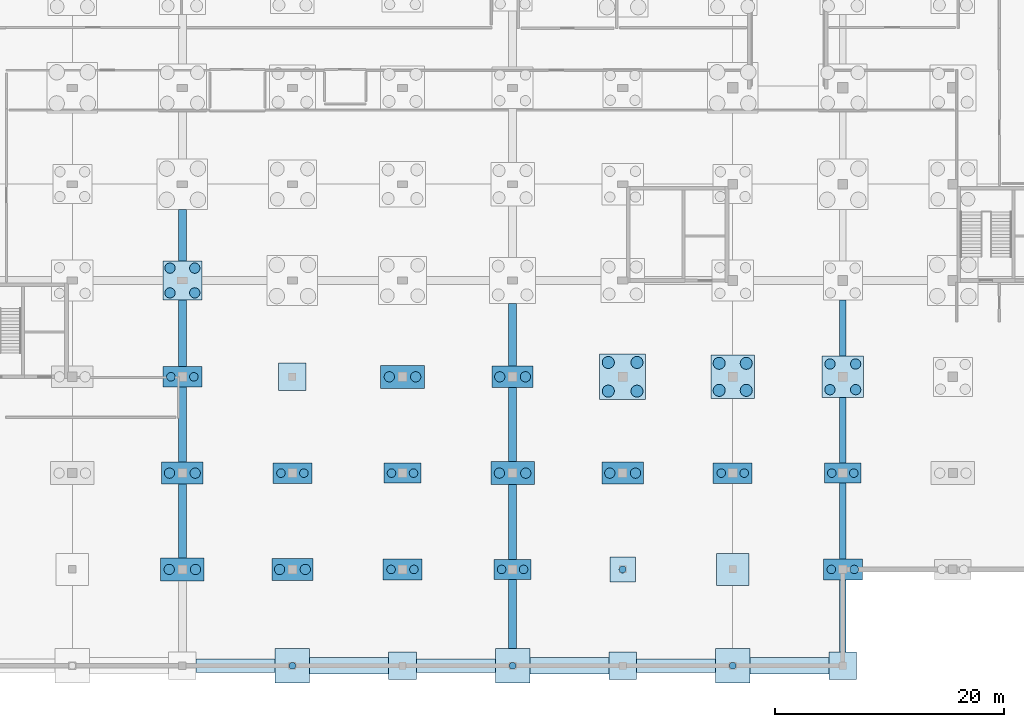
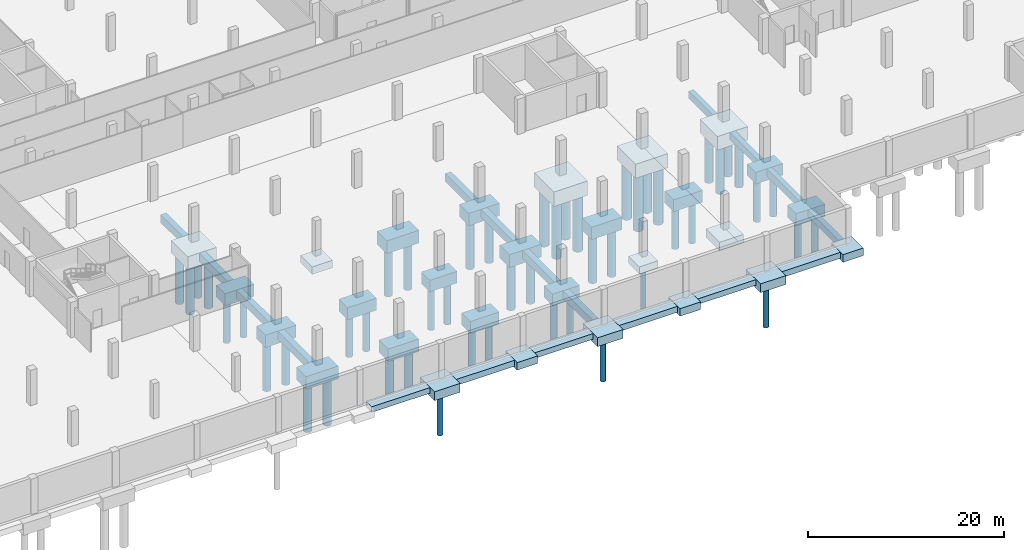
# One storey, part 3 of 26: 50 piles, 46 footings.
"""IFC4 building model written with IfcOpenShell, lengths in metres."""

from ifc_helpers import new_model, si_unit, direction, frame, origin, origin_2d, place, context, subcontext, project, spatial, rectangle, circle, extrude, material, layer, layer_set, material_profile, profile_set, type_object, element, save


model = new_model("IFC4")

# Units and contexts
model_context = context("Model", 3, precision=1e-05, world=origin(), true_north=direction((0.0, 1.0)))
body_context = subcontext(model_context, "Body", "Model", "MODEL_VIEW")
ifc_project = project(units=[si_unit("LENGTHUNIT", "METRE"), si_unit("AREAUNIT", "SQUARE_METRE"), si_unit("VOLUMEUNIT", "CUBIC_METRE"), si_unit("PLANEANGLEUNIT", "RADIAN"), si_unit("MASSUNIT", "GRAM", prefix="KILO")], contexts=[model_context])

# Site, building, storey
site_placement = place(None, origin())
site = spatial("IfcSite", under=ifc_project, at=site_placement, CompositionType="ELEMENT")
building_placement = place(site_placement, origin())
building = spatial("IfcBuilding", under=site, at=building_placement, Name="Lornevale Opera House", CompositionType="ELEMENT")
storey_placement = place(building_placement, frame((0.0, 0.0, -9.60009765625)))
storey = spatial("IfcBuildingStorey", under=building, at=storey_placement, Name="B2", CompositionType="ELEMENT", Elevation=-9.60009765625)

# Footings
ifc_material_1 = material(Name="Concrete 35 MPa (CSA A23.1 N)", Category="concrete")
ifc_layer_1 = layer(ifc_material_1, 1.60009765625)
ifc_layer_set_1 = layer_set([ifc_layer_1], Name="Concrete 35 MPa (CSA A23.1 N)")
footing_type_1 = type_object("IfcFootingType", Name="Four-Caisson Cap 3400x3400x1600", PredefinedType="PILE_CAP", material=ifc_layer_set_1)
footing_1_placement = place(storey_placement, frame((67.199951171875, 33.60009765625, -2.06005859375), z_axis=(0.0, 0.0, 1.0), x_axis=(1.0, 0.0, 0.0)))
element("IfcFooting", 1, at=footing_1_placement, inside=storey, type_object=footing_type_1, Name="Four-Caisson Cap 3400x3400x1600 FT-102", PredefinedType="PILE_CAP", context=body_context, shape_type="SweptSolid", body=[
    extrude(rectangle(XDim=3.39990234375, YDim=3.39990234375, at=origin_2d()), origin(), (0.0, 0.0, 1.0), 1.60009765625),
])
ifc_layer_2 = layer(ifc_material_1, 1.699951171875)
ifc_layer_set_2 = layer_set([ifc_layer_2], Name="Concrete 35 MPa (CSA A23.1 N)")
footing_type_2 = type_object("IfcFootingType", Name="Four-Caisson Cap 3600x3600x1700", PredefinedType="PILE_CAP", material=ifc_layer_set_2)
footing_2_placement = place(storey_placement, frame((124.800048828125, 25.199951171875, -2.15966796875), z_axis=(0.0, 0.0, 1.0), x_axis=(1.0, 0.0, 0.0)))
element("IfcFooting", 2, at=footing_2_placement, inside=storey, type_object=footing_type_2, Name="Four-Caisson Cap 3600x3600x1700 FT-191", PredefinedType="PILE_CAP", context=body_context, shape_type="SweptSolid", body=[
    extrude(rectangle(XDim=3.60009765625, YDim=3.60009765625, at=origin_2d()), origin(), (0.0, 0.0, 1.0), 1.699951171875),
])
ifc_layer_3 = layer(ifc_material_1, 1.75)
ifc_layer_set_3 = layer_set([ifc_layer_3], Name="Concrete 35 MPa (CSA A23.1 N)")
footing_type_3 = type_object("IfcFootingType", Name="Four-Caisson Cap 3800x3800x1750", PredefinedType="PILE_CAP", material=ifc_layer_set_3)
footing_3_placement = place(storey_placement, frame((115.199951171875, 25.199951171875, -2.2099609375), z_axis=(0.0, 0.0, 1.0), x_axis=(1.0, 0.0, 0.0)))
element("IfcFooting", 3, at=footing_3_placement, inside=storey, type_object=footing_type_3, Name="Four-Caisson Cap 3800x3800x1750 FT-176", PredefinedType="PILE_CAP", context=body_context, shape_type="SweptSolid", body=[
    extrude(rectangle(XDim=3.800048828125, YDim=3.800048828125, at=origin_2d()), origin(), (0.0, 0.0, 1.0), 1.75),
])
ifc_layer_4 = layer(ifc_material_1, 1.800048828125)
ifc_layer_set_4 = layer_set([ifc_layer_4], Name="Concrete 35 MPa (CSA A23.1 N)")
footing_type_4 = type_object("IfcFootingType", Name="Four-Caisson Cap 4000x4000x1800", PredefinedType="PILE_CAP", material=ifc_layer_set_4)
footing_4_placement = place(storey_placement, frame((105.60009765625, 25.199951171875, -2.259765625), z_axis=(0.0, 0.0, 1.0), x_axis=(1.0, 0.0, 0.0)))
element("IfcFooting", 4, at=footing_4_placement, inside=storey, type_object=footing_type_4, Name="Four-Caisson Cap 4000x4000x1800 FT-161", PredefinedType="PILE_CAP", context=body_context, shape_type="SweptSolid", body=[
    extrude(rectangle(XDim=4.0, YDim=4.0, at=origin_2d()), origin(), (0.0, 0.0, 1.0), 1.800048828125),
])
ifc_layer_5 = layer(ifc_material_1, 0.89990234375)
ifc_layer_set_5 = layer_set([ifc_layer_5], Name="Concrete 35 MPa (CSA A23.1 N)")
footing_type_5 = type_object("IfcFootingType", Name="Grade Tie Beam NS 600x900", PredefinedType="FOOTING_BEAM", material=ifc_layer_set_5)
footing_5_placement = place(storey_placement, frame((124.800048828125, 4.35009765625, -1.35986328125), z_axis=(0.0, 0.0, 1.0), x_axis=(1.0, 0.0, 0.0)))
element("IfcFooting", 5, at=footing_5_placement, inside=storey, type_object=footing_type_5, Name="Grade Tie Beam NS 600x900 FT-378", PredefinedType="FOOTING_BEAM", context=body_context, shape_type="SweptSolid", body=[
    extrude(rectangle(XDim=0.60009765625, YDim=6.300048828125, at=origin_2d()), origin(), (0.0, 0.0, 1.0), 0.89990234375),
])
footing_6_placement = place(storey_placement, frame((124.800048828125, 12.612548828125, -1.35986328125), z_axis=(0.0, 0.0, 1.0), x_axis=(1.0, 0.0, 0.0)))
element("IfcFooting", 6, at=footing_6_placement, inside=storey, type_object=footing_type_5, Name="Grade Tie Beam NS 600x900 FT-379", PredefinedType="FOOTING_BEAM", context=body_context, shape_type="SweptSolid", body=[
    extrude(rectangle(XDim=0.60009765625, YDim=6.625, at=origin_2d()), origin(), (0.0, 0.0, 1.0), 0.89990234375),
])
footing_7_placement = place(storey_placement, frame((124.800048828125, 20.53759765625, -1.35986328125), z_axis=(0.0, 0.0, 1.0), x_axis=(1.0, 0.0, 0.0)))
element("IfcFooting", 7, at=footing_7_placement, inside=storey, type_object=footing_type_5, Name="Grade Tie Beam NS 600x900 FT-380", PredefinedType="FOOTING_BEAM", context=body_context, shape_type="SweptSolid", body=[
    extrude(rectangle(XDim=0.60009765625, YDim=5.72509765625, at=origin_2d()), origin(), (0.0, 0.0, 1.0), 0.89990234375),
])
footing_8_placement = place(storey_placement, frame((124.800048828125, 29.449951171875, -1.35986328125), z_axis=(0.0, 0.0, 1.0), x_axis=(1.0, 0.0, 0.0)))
element("IfcFooting", 8, at=footing_8_placement, inside=storey, type_object=footing_type_5, Name="Grade Tie Beam NS 600x900 FT-381", PredefinedType="FOOTING_BEAM", context=body_context, shape_type="SweptSolid", body=[
    extrude(rectangle(XDim=0.60009765625, YDim=4.89990234375, at=origin_2d()), origin(), (0.0, 0.0, 1.0), 0.89990234375),
])
ifc_layer_6 = layer(ifc_material_1, 1.0)
ifc_layer_set_6 = layer_set([ifc_layer_6], Name="Concrete 35 MPa (CSA A23.1 N)")
footing_type_6 = type_object("IfcFootingType", Name="Grade Tie Beam NS 700x1000", PredefinedType="FOOTING_BEAM", material=ifc_layer_set_6)
footing_9_placement = place(storey_placement, frame((67.199951171875, 12.625, -1.4599609375), z_axis=(0.0, 0.0, 1.0), x_axis=(1.0, 0.0, 0.0)))
element("IfcFooting", 9, at=footing_9_placement, inside=storey, type_object=footing_type_6, Name="Grade Tie Beam NS 700x1000 FT-351", PredefinedType="FOOTING_BEAM", context=body_context, shape_type="SweptSolid", body=[
    extrude(rectangle(XDim=0.699951171875, YDim=6.449951171875, at=origin_2d()), origin(), (0.0, 0.0, 1.0), 1.0),
])
footing_10_placement = place(storey_placement, frame((67.199951171875, 21.02490234375, -1.4599609375), z_axis=(0.0, 0.0, 1.0), x_axis=(1.0, 0.0, 0.0)))
element("IfcFooting", 10, at=footing_10_placement, inside=storey, type_object=footing_type_6, Name="Grade Tie Beam NS 700x1000 FT-352", PredefinedType="FOOTING_BEAM", context=body_context, shape_type="SweptSolid", body=[
    extrude(rectangle(XDim=0.699951171875, YDim=6.550048828125, at=origin_2d()), origin(), (0.0, 0.0, 1.0), 1.0),
])
footing_11_placement = place(storey_placement, frame((67.199951171875, 29.0, -1.4599609375), z_axis=(0.0, 0.0, 1.0), x_axis=(1.0, 0.0, 0.0)))
element("IfcFooting", 11, at=footing_11_placement, inside=storey, type_object=footing_type_6, Name="Grade Tie Beam NS 700x1000 FT-353", PredefinedType="FOOTING_BEAM", context=body_context, shape_type="SweptSolid", body=[
    extrude(rectangle(XDim=0.699951171875, YDim=5.800048828125, at=origin_2d()), origin(), (0.0, 0.0, 1.0), 1.0),
])
footing_12_placement = place(storey_placement, frame((67.199951171875, 37.550048828125, -1.4599609375), z_axis=(0.0, 0.0, 1.0), x_axis=(1.0, 0.0, 0.0)))
element("IfcFooting", 12, at=footing_12_placement, inside=storey, type_object=footing_type_6, Name="Grade Tie Beam NS 700x1000 FT-354", PredefinedType="FOOTING_BEAM", context=body_context, shape_type="SweptSolid", body=[
    extrude(rectangle(XDim=0.699951171875, YDim=4.5, at=origin_2d()), origin(), (0.0, 0.0, 1.0), 1.0),
])
footing_13_placement = place(storey_placement, frame((96.0, 4.512451171875, -1.4599609375), z_axis=(0.0, 0.0, 1.0), x_axis=(1.0, 0.0, 0.0)))
element("IfcFooting", 13, at=footing_13_placement, inside=storey, type_object=footing_type_6, Name="Grade Tie Beam NS 700x1000 FT-364", PredefinedType="FOOTING_BEAM", context=body_context, shape_type="SweptSolid", body=[
    extrude(rectangle(XDim=0.699951171875, YDim=6.02490234375, at=origin_2d()), origin(), (0.0, 0.0, 1.0), 1.0),
])
footing_14_placement = place(storey_placement, frame((96.0, 12.53759765625, -1.4599609375), z_axis=(0.0, 0.0, 1.0), x_axis=(1.0, 0.0, 0.0)))
element("IfcFooting", 14, at=footing_14_placement, inside=storey, type_object=footing_type_6, Name="Grade Tie Beam NS 700x1000 FT-365", PredefinedType="FOOTING_BEAM", context=body_context, shape_type="SweptSolid", body=[
    extrude(rectangle(XDim=0.699951171875, YDim=6.52490234375, at=origin_2d()), origin(), (0.0, 0.0, 1.0), 1.0),
])
footing_15_placement = place(storey_placement, frame((96.0, 21.02490234375, -1.4599609375), z_axis=(0.0, 0.0, 1.0), x_axis=(1.0, 0.0, 0.0)))
element("IfcFooting", 15, at=footing_15_placement, inside=storey, type_object=footing_type_6, Name="Grade Tie Beam NS 700x1000 FT-366", PredefinedType="FOOTING_BEAM", context=body_context, shape_type="SweptSolid", body=[
    extrude(rectangle(XDim=0.699951171875, YDim=6.449951171875, at=origin_2d()), origin(), (0.0, 0.0, 1.0), 1.0),
])
footing_16_placement = place(storey_placement, frame((96.0, 28.875, -1.4599609375), z_axis=(0.0, 0.0, 1.0), x_axis=(1.0, 0.0, 0.0)))
element("IfcFooting", 16, at=footing_16_placement, inside=storey, type_object=footing_type_6, Name="Grade Tie Beam NS 700x1000 FT-367", PredefinedType="FOOTING_BEAM", context=body_context, shape_type="SweptSolid", body=[
    extrude(rectangle(XDim=0.699951171875, YDim=5.449951171875, at=origin_2d()), origin(), (0.0, 0.0, 1.0), 1.0),
])

# Piles
ifc_material_2 = material(Name="Concrete 40 MPa (CSA A23.1 C-1)", Category="concrete")
ifc_material_profile_1 = material_profile(ifc_material_2, circle(Radius=0.300048828125, at=origin_2d()), Name="CAIS600")
ifc_profile_set_1 = profile_set([ifc_material_profile_1], Name="Concrete 40 MPa (CSA A23.1 C-1)")
pile_type_1 = type_object("IfcPileType", Name="Micropile Caisson D600", PredefinedType="BORED", material=ifc_profile_set_1)
for number, where, z_axis, x_axis, name in (
    (17, (76.800048828125, 0.0, -1.43994140625), (0.0, 0.0, -1.0), (1.0, 0.0, 0.0), "Micropile Caisson D600 0212"),
    (18, (96.0, 0.0, -1.43994140625), (0.0, 0.0, -1.0), (1.0, 0.0, 0.0), "Micropile Caisson D600 0288"),
):
    element("IfcPile", number, at=place(storey_placement, frame(where, z_axis=z_axis, x_axis=x_axis)), inside=storey, type_object=pile_type_1, Name=name, PredefinedType="BORED", context=body_context, shape_type="SweptSolid", body=[
        extrude(circle(Radius=0.300048828125, at=origin_2d()), origin(), (0.0, 0.0, 1.0), 5.760009765625),
    ])
pile_1_placement = place(storey_placement, frame((105.60009765625, 8.39990234375, -1.239990234375), z_axis=(0.0, 0.0, -1.0), x_axis=(1.0, 0.0, 0.0)))
element("IfcPile", 19, at=pile_1_placement, inside=storey, type_object=pile_type_1, Name="Micropile Caisson D600 0328", PredefinedType="BORED", context=body_context, shape_type="SweptSolid", body=[
    extrude(circle(Radius=0.300048828125, at=origin_2d()), origin(), (0.0, 0.0, 1.0), 5.9599609375),
])
pile_2_placement = place(storey_placement, frame((115.199951171875, 0.0, -1.43994140625), z_axis=(0.0, 0.0, -1.0), x_axis=(1.0, 0.0, 0.0)))
element("IfcPile", 20, at=pile_2_placement, inside=storey, type_object=pile_type_1, Name="Micropile Caisson D600 0368", PredefinedType="BORED", context=body_context, shape_type="SweptSolid", body=[
    extrude(circle(Radius=0.300048828125, at=origin_2d()), origin(), (0.0, 0.0, 1.0), 5.760009765625),
])

# Footings
ifc_layer_7 = layer(ifc_material_1, 0.699951171875)
ifc_layer_set_7 = layer_set([ifc_layer_7], Name="Concrete 35 MPa (CSA A23.1 N)")
footing_type_7 = type_object("IfcFootingType", Name="Perimeter Strip Footing 1200x700", PredefinedType="STRIP_FOOTING", material=ifc_layer_set_7)
for number, where, z_axis, x_axis, name in (
    (21, (71.85009765625, 0.0, -1.15966796875), (0.0, 0.0, 1.0), (1.0, 0.0, 0.0), "Perimeter Strip Footing 1200x700 FT-280"),
    (22, (91.050048828125, 0.0, -1.15966796875), (0.0, 0.0, 1.0), (1.0, 0.0, 0.0), "Perimeter Strip Footing 1200x700 FT-290"),
    (23, (110.25, 0.0, -1.15966796875), (0.0, 0.0, 1.0), (1.0, 0.0, 0.0), "Perimeter Strip Footing 1200x700 FT-300"),
):
    element("IfcFooting", number, at=place(storey_placement, frame(where, z_axis=z_axis, x_axis=x_axis)), inside=storey, type_object=footing_type_7, Name=name, PredefinedType="STRIP_FOOTING", context=body_context, shape_type="SweptSolid", body=[
        extrude(rectangle(XDim=6.89990234375, YDim=1.199951171875, at=origin_2d()), origin(), (0.0, 0.0, 1.0), 0.699951171875),
    ])
ifc_layer_8 = layer(ifc_material_1, 0.75)
ifc_layer_set_8 = layer_set([ifc_layer_8], Name="Concrete 35 MPa (CSA A23.1 N)")
footing_type_8 = type_object("IfcFootingType", Name="Perimeter Strip Footing 1400x750", PredefinedType="STRIP_FOOTING", material=ifc_layer_set_8)
for number, where, z_axis, x_axis, name in (
    (24, (81.75, 0.0, -1.2099609375), (0.0, 0.0, 1.0), (1.0, 0.0, 0.0), "Perimeter Strip Footing 1400x750 FT-285"),
    (25, (100.949951171875, 0.0, -1.2099609375), (0.0, 0.0, 1.0), (1.0, 0.0, 0.0), "Perimeter Strip Footing 1400x750 FT-295"),
    (26, (120.14990234375, 0.0, -1.2099609375), (0.0, 0.0, 1.0), (1.0, 0.0, 0.0), "Perimeter Strip Footing 1400x750 FT-305"),
):
    element("IfcFooting", number, at=place(storey_placement, frame(where, z_axis=z_axis, x_axis=x_axis)), inside=storey, type_object=footing_type_8, Name=name, PredefinedType="STRIP_FOOTING", context=body_context, shape_type="SweptSolid", body=[
        extrude(rectangle(XDim=6.89990234375, YDim=1.39990234375, at=origin_2d()), origin(), (0.0, 0.0, 1.0), 0.75),
    ])

# Piles
ifc_material_profile_2 = material_profile(ifc_material_2, circle(Radius=0.52490234375, at=origin_2d()), Name="CAIS1050")
ifc_profile_set_2 = profile_set([ifc_material_profile_2], Name="Concrete 40 MPa (CSA A23.1 C-1)")
pile_type_2 = type_object("IfcPileType", Name="Rock-Socketed Caisson D1050", PredefinedType="BORED", material=ifc_profile_set_2)
for number, where, z_axis, x_axis, name in (
    (27, (104.35009765625, 23.949951171875, -2.139892578125), (0.0, 0.0, -1.0), (1.0, 0.0, 0.0), "Rock-Socketed Caisson D1050 0331"),
    (28, (106.85009765625, 23.949951171875, -2.139892578125), (0.0, 0.0, -1.0), (1.0, 0.0, 0.0), "Rock-Socketed Caisson D1050 0332"),
    (29, (104.35009765625, 26.449951171875, -2.139892578125), (0.0, 0.0, -1.0), (1.0, 0.0, 0.0), "Rock-Socketed Caisson D1050 0333"),
    (30, (106.85009765625, 26.449951171875, -2.139892578125), (0.0, 0.0, -1.0), (1.0, 0.0, 0.0), "Rock-Socketed Caisson D1050 0334"),
):
    element("IfcPile", number, at=place(storey_placement, frame(where, z_axis=z_axis, x_axis=x_axis)), inside=storey, type_object=pile_type_2, Name=name, PredefinedType="BORED", context=body_context, shape_type="SweptSolid", body=[
        extrude(circle(Radius=0.52490234375, at=origin_2d()), origin(), (0.0, 0.0, 1.0), 7.06005859375),
    ])
for number, where, z_axis, x_axis, name in (
    (31, (114.02001953125, 24.02001953125, -2.08984375), (0.0, 0.0, -1.0), (1.0, 0.0, 0.0), "Rock-Socketed Caisson D1050 0371"),
    (32, (116.3798828125, 24.02001953125, -2.08984375), (0.0, 0.0, -1.0), (1.0, 0.0, 0.0), "Rock-Socketed Caisson D1050 0372"),
    (33, (114.02001953125, 26.3798828125, -2.08984375), (0.0, 0.0, -1.0), (1.0, 0.0, 0.0), "Rock-Socketed Caisson D1050 0373"),
    (34, (116.3798828125, 26.3798828125, -2.08984375), (0.0, 0.0, -1.0), (1.0, 0.0, 0.0), "Rock-Socketed Caisson D1050 0374"),
):
    element("IfcPile", number, at=place(storey_placement, frame(where, z_axis=z_axis, x_axis=x_axis)), inside=storey, type_object=pile_type_2, Name=name, PredefinedType="BORED", context=body_context, shape_type="SweptSolid", body=[
        extrude(circle(Radius=0.52490234375, at=origin_2d()), origin(), (0.0, 0.0, 1.0), 7.110107421875),
    ])
ifc_material_profile_3 = material_profile(ifc_material_2, circle(Radius=0.375, at=origin_2d()), Name="CAIS750")
ifc_profile_set_3 = profile_set([ifc_material_profile_3], Name="Concrete 40 MPa (CSA A23.1 C-1)")
pile_type_3 = type_object("IfcPileType", Name="Rock-Socketed Caisson D750", PredefinedType="BORED", material=ifc_profile_set_3)
for number, where, z_axis, x_axis, name in (
    (35, (66.199951171875, 25.199951171875, -1.83984375), (0.0, 0.0, -1.0), (1.0, 0.0, 0.0), "Rock-Socketed Caisson D750 0177"),
    (36, (68.199951171875, 25.199951171875, -1.83984375), (0.0, 0.0, -1.0), (1.0, 0.0, 0.0), "Rock-Socketed Caisson D750 0178"),
    (37, (75.800048828125, 16.800048828125, -1.83984375), (0.0, 0.0, -1.0), (1.0, 0.0, 0.0), "Rock-Socketed Caisson D750 0215"),
    (38, (77.800048828125, 16.800048828125, -1.83984375), (0.0, 0.0, -1.0), (1.0, 0.0, 0.0), "Rock-Socketed Caisson D750 0216"),
    (39, (85.39990234375, 8.39990234375, -1.83984375), (0.0, 0.0, -1.0), (1.0, 0.0, 0.0), "Rock-Socketed Caisson D750 0249"),
    (40, (87.39990234375, 8.39990234375, -1.83984375), (0.0, 0.0, -1.0), (1.0, 0.0, 0.0), "Rock-Socketed Caisson D750 0250"),
):
    element("IfcPile", number, at=place(storey_placement, frame(where, z_axis=z_axis, x_axis=x_axis)), inside=storey, type_object=pile_type_3, Name=name, PredefinedType="BORED", context=body_context, shape_type="SweptSolid", body=[
        extrude(circle(Radius=0.375, at=origin_2d()), origin(), (0.0, 0.0, 1.0), 5.360107421875),
    ])
for number, where, z_axis, x_axis, name in (
    (41, (85.43994140625, 16.800048828125, -1.789794921875), (0.0, 0.0, -1.0), (1.0, 0.0, 0.0), "Rock-Socketed Caisson D750 0251"),
    (42, (87.360107421875, 16.800048828125, -1.789794921875), (0.0, 0.0, -1.0), (1.0, 0.0, 0.0), "Rock-Socketed Caisson D750 0252"),
    (43, (95.0400390625, 8.39990234375, -1.789794921875), (0.0, 0.0, -1.0), (1.0, 0.0, 0.0), "Rock-Socketed Caisson D750 0289"),
    (44, (96.9599609375, 8.39990234375, -1.789794921875), (0.0, 0.0, -1.0), (1.0, 0.0, 0.0), "Rock-Socketed Caisson D750 0290"),
):
    element("IfcPile", number, at=place(storey_placement, frame(where, z_axis=z_axis, x_axis=x_axis)), inside=storey, type_object=pile_type_3, Name=name, PredefinedType="BORED", context=body_context, shape_type="SweptSolid", body=[
        extrude(circle(Radius=0.375, at=origin_2d()), origin(), (0.0, 0.0, 1.0), 5.409912109375),
    ])
for number, where, z_axis, x_axis, name in (
    (45, (114.199951171875, 16.800048828125, -1.83984375), (0.0, 0.0, -1.0), (1.0, 0.0, 0.0), "Rock-Socketed Caisson D750 0369"),
    (46, (116.199951171875, 16.800048828125, -1.83984375), (0.0, 0.0, -1.0), (1.0, 0.0, 0.0), "Rock-Socketed Caisson D750 0370"),
    (47, (123.800048828125, 8.39990234375, -1.83984375), (0.0, 0.0, -1.0), (1.0, 0.0, 0.0), "Rock-Socketed Caisson D750 0406"),
    (48, (125.800048828125, 8.39990234375, -1.83984375), (0.0, 0.0, -1.0), (1.0, 0.0, 0.0), "Rock-Socketed Caisson D750 0407"),
):
    element("IfcPile", number, at=place(storey_placement, frame(where, z_axis=z_axis, x_axis=x_axis)), inside=storey, type_object=pile_type_3, Name=name, PredefinedType="BORED", context=body_context, shape_type="SweptSolid", body=[
        extrude(circle(Radius=0.375, at=origin_2d()), origin(), (0.0, 0.0, 1.0), 5.360107421875),
    ])
for number, where, z_axis, x_axis, name in (
    (49, (123.840087890625, 16.800048828125, -1.789794921875), (0.0, 0.0, -1.0), (1.0, 0.0, 0.0), "Rock-Socketed Caisson D750 0408"),
    (50, (125.760009765625, 16.800048828125, -1.789794921875), (0.0, 0.0, -1.0), (1.0, 0.0, 0.0), "Rock-Socketed Caisson D750 0409"),
):
    element("IfcPile", number, at=place(storey_placement, frame(where, z_axis=z_axis, x_axis=x_axis)), inside=storey, type_object=pile_type_3, Name=name, PredefinedType="BORED", context=body_context, shape_type="SweptSolid", body=[
        extrude(circle(Radius=0.375, at=origin_2d()), origin(), (0.0, 0.0, 1.0), 5.409912109375),
    ])
ifc_material_profile_4 = material_profile(ifc_material_2, circle(Radius=0.449951171875, at=origin_2d()), Name="CAIS900")
ifc_profile_set_4 = profile_set([ifc_material_profile_4], Name="Concrete 40 MPa (CSA A23.1 C-1)")
pile_type_4 = type_object("IfcPileType", Name="Rock-Socketed Caisson D900", PredefinedType="BORED", material=ifc_profile_set_4)
for number, where, z_axis, x_axis, name in (
    (51, (66.050048828125, 8.39990234375, -1.93994140625), (0.0, 0.0, -1.0), (1.0, 0.0, 0.0), "Rock-Socketed Caisson D900 0173"),
    (52, (68.35009765625, 8.39990234375, -1.93994140625), (0.0, 0.0, -1.0), (1.0, 0.0, 0.0), "Rock-Socketed Caisson D900 0174"),
):
    element("IfcPile", number, at=place(storey_placement, frame(where, z_axis=z_axis, x_axis=x_axis)), inside=storey, type_object=pile_type_4, Name=name, PredefinedType="BORED", context=body_context, shape_type="SweptSolid", body=[
        extrude(circle(Radius=0.449951171875, at=origin_2d()), origin(), (0.0, 0.0, 1.0), 6.06005859375),
    ])
for number, where, z_axis, x_axis, name in (
    (53, (66.080078125, 16.800048828125, -1.889892578125), (0.0, 0.0, -1.0), (1.0, 0.0, 0.0), "Rock-Socketed Caisson D900 0175"),
    (54, (68.320068359375, 16.800048828125, -1.889892578125), (0.0, 0.0, -1.0), (1.0, 0.0, 0.0), "Rock-Socketed Caisson D900 0176"),
):
    element("IfcPile", number, at=place(storey_placement, frame(where, z_axis=z_axis, x_axis=x_axis)), inside=storey, type_object=pile_type_4, Name=name, PredefinedType="BORED", context=body_context, shape_type="SweptSolid", body=[
        extrude(circle(Radius=0.449951171875, at=origin_2d()), origin(), (0.0, 0.0, 1.0), 6.110107421875),
    ])
for number, where, z_axis, x_axis, name in (
    (55, (66.1201171875, 32.52001953125, -1.93994140625), (0.0, 0.0, -1.0), (1.0, 0.0, 0.0), "Rock-Socketed Caisson D900 0179"),
    (56, (68.280029296875, 32.52001953125, -1.93994140625), (0.0, 0.0, -1.0), (1.0, 0.0, 0.0), "Rock-Socketed Caisson D900 0180"),
    (57, (66.1201171875, 34.679931640625, -1.93994140625), (0.0, 0.0, -1.0), (1.0, 0.0, 0.0), "Rock-Socketed Caisson D900 0181"),
    (58, (68.280029296875, 34.679931640625, -1.93994140625), (0.0, 0.0, -1.0), (1.0, 0.0, 0.0), "Rock-Socketed Caisson D900 0182"),
):
    element("IfcPile", number, at=place(storey_placement, frame(where, z_axis=z_axis, x_axis=x_axis)), inside=storey, type_object=pile_type_4, Name=name, PredefinedType="BORED", context=body_context, shape_type="SweptSolid", body=[
        extrude(circle(Radius=0.449951171875, at=origin_2d()), origin(), (0.0, 0.0, 1.0), 6.06005859375),
    ])
for number, where, z_axis, x_axis, name in (
    (59, (75.679931640625, 8.39990234375, -1.889892578125), (0.0, 0.0, -1.0), (1.0, 0.0, 0.0), "Rock-Socketed Caisson D900 0213"),
    (60, (77.919921875, 8.39990234375, -1.889892578125), (0.0, 0.0, -1.0), (1.0, 0.0, 0.0), "Rock-Socketed Caisson D900 0214"),
):
    element("IfcPile", number, at=place(storey_placement, frame(where, z_axis=z_axis, x_axis=x_axis)), inside=storey, type_object=pile_type_4, Name=name, PredefinedType="BORED", context=body_context, shape_type="SweptSolid", body=[
        extrude(circle(Radius=0.449951171875, at=origin_2d()), origin(), (0.0, 0.0, 1.0), 6.110107421875),
    ])
for number, where, z_axis, x_axis, name in (
    (61, (85.25, 25.199951171875, -1.93994140625), (0.0, 0.0, -1.0), (1.0, 0.0, 0.0), "Rock-Socketed Caisson D900 0253"),
    (62, (87.550048828125, 25.199951171875, -1.93994140625), (0.0, 0.0, -1.0), (1.0, 0.0, 0.0), "Rock-Socketed Caisson D900 0254"),
    (63, (94.85009765625, 16.800048828125, -1.93994140625), (0.0, 0.0, -1.0), (1.0, 0.0, 0.0), "Rock-Socketed Caisson D900 0291"),
    (64, (97.14990234375, 16.800048828125, -1.93994140625), (0.0, 0.0, -1.0), (1.0, 0.0, 0.0), "Rock-Socketed Caisson D900 0292"),
):
    element("IfcPile", number, at=place(storey_placement, frame(where, z_axis=z_axis, x_axis=x_axis)), inside=storey, type_object=pile_type_4, Name=name, PredefinedType="BORED", context=body_context, shape_type="SweptSolid", body=[
        extrude(circle(Radius=0.449951171875, at=origin_2d()), origin(), (0.0, 0.0, 1.0), 6.06005859375),
    ])
for number, where, z_axis, x_axis, name in (
    (65, (94.8798828125, 25.199951171875, -1.889892578125), (0.0, 0.0, -1.0), (1.0, 0.0, 0.0), "Rock-Socketed Caisson D900 0293"),
    (66, (97.1201171875, 25.199951171875, -1.889892578125), (0.0, 0.0, -1.0), (1.0, 0.0, 0.0), "Rock-Socketed Caisson D900 0294"),
    (67, (104.47998046875, 16.800048828125, -1.889892578125), (0.0, 0.0, -1.0), (1.0, 0.0, 0.0), "Rock-Socketed Caisson D900 0329"),
    (68, (106.719970703125, 16.800048828125, -1.889892578125), (0.0, 0.0, -1.0), (1.0, 0.0, 0.0), "Rock-Socketed Caisson D900 0330"),
):
    element("IfcPile", number, at=place(storey_placement, frame(where, z_axis=z_axis, x_axis=x_axis)), inside=storey, type_object=pile_type_4, Name=name, PredefinedType="BORED", context=body_context, shape_type="SweptSolid", body=[
        extrude(circle(Radius=0.449951171875, at=origin_2d()), origin(), (0.0, 0.0, 1.0), 6.110107421875),
    ])
for number, where, z_axis, x_axis, name in (
    (69, (123.679931640625, 24.080078125, -2.039794921875), (0.0, 0.0, -1.0), (1.0, 0.0, 0.0), "Rock-Socketed Caisson D900 0410"),
    (70, (125.919921875, 24.080078125, -2.039794921875), (0.0, 0.0, -1.0), (1.0, 0.0, 0.0), "Rock-Socketed Caisson D900 0411"),
    (71, (123.679931640625, 26.320068359375, -2.039794921875), (0.0, 0.0, -1.0), (1.0, 0.0, 0.0), "Rock-Socketed Caisson D900 0412"),
    (72, (125.919921875, 26.320068359375, -2.039794921875), (0.0, 0.0, -1.0), (1.0, 0.0, 0.0), "Rock-Socketed Caisson D900 0413"),
):
    element("IfcPile", number, at=place(storey_placement, frame(where, z_axis=z_axis, x_axis=x_axis)), inside=storey, type_object=pile_type_4, Name=name, PredefinedType="BORED", context=body_context, shape_type="SweptSolid", body=[
        extrude(circle(Radius=0.449951171875, at=origin_2d()), origin(), (0.0, 0.0, 1.0), 5.9599609375),
    ])

# Footings
ifc_layer_9 = layer(ifc_material_1, 0.89990234375)
ifc_layer_set_9 = layer_set([ifc_layer_9], Name="Concrete 35 MPa (CSA A23.1 N)")
footing_type_9 = type_object("IfcFootingType", Name="Spread Pad Footing 2200x2200x900", PredefinedType="PAD_FOOTING", material=ifc_layer_set_9)
footing_17_placement = place(storey_placement, frame((105.60009765625, 8.39990234375, -1.35986328125), z_axis=(0.0, 0.0, 1.0), x_axis=(1.0, 0.0, 0.0)))
element("IfcFooting", 73, at=footing_17_placement, inside=storey, type_object=footing_type_9, Name="Spread Pad Footing 2200x2200x900 FT-159", PredefinedType="PAD_FOOTING", context=body_context, shape_type="SweptSolid", body=[
    extrude(rectangle(XDim=2.199951171875, YDim=2.199951171875, at=origin_2d()), origin(), (0.0, 0.0, 1.0), 0.89990234375),
])
ifc_layer_10 = layer(ifc_material_1, 0.949951171875)
ifc_layer_set_10 = layer_set([ifc_layer_10], Name="Concrete 35 MPa (CSA A23.1 N)")
footing_type_10 = type_object("IfcFootingType", Name="Spread Pad Footing 2400x2400x950", PredefinedType="PAD_FOOTING", material=ifc_layer_set_10)
for number, where, z_axis, x_axis, name in (
    (74, (76.800048828125, 25.199951171875, -1.40966796875), (0.0, 0.0, 1.0), (1.0, 0.0, 0.0), "Spread Pad Footing 2400x2400x950 FT-116"),
    (75, (86.39990234375, 0.0, -1.40966796875), (0.0, 0.0, 1.0), (1.0, 0.0, 0.0), "Spread Pad Footing 2400x2400x950 FT-128"),
    (76, (105.60009765625, 0.0, -1.40966796875), (0.0, 0.0, 1.0), (1.0, 0.0, 0.0), "Spread Pad Footing 2400x2400x950 FT-158"),
    (77, (124.800048828125, 0.0, -1.40966796875), (0.0, 0.0, 1.0), (1.0, 0.0, 0.0), "Spread Pad Footing 2400x2400x950 FT-188"),
):
    element("IfcFooting", number, at=place(storey_placement, frame(where, z_axis=z_axis, x_axis=x_axis)), inside=storey, type_object=footing_type_10, Name=name, PredefinedType="PAD_FOOTING", context=body_context, shape_type="SweptSolid", body=[
        extrude(rectangle(XDim=2.39990234375, YDim=2.39990234375, at=origin_2d()), origin(), (0.0, 0.0, 1.0), 0.949951171875),
    ])
ifc_layer_11 = layer(ifc_material_1, 1.050048828125)
ifc_layer_set_11 = layer_set([ifc_layer_11], Name="Concrete 35 MPa (CSA A23.1 N)")
footing_type_11 = type_object("IfcFootingType", Name="Spread Pad Footing 2800x2800x1050", PredefinedType="PAD_FOOTING", material=ifc_layer_set_11)
footing_18_placement = place(storey_placement, frame((115.199951171875, 8.39990234375, -1.509765625), z_axis=(0.0, 0.0, 1.0), x_axis=(1.0, 0.0, 0.0)))
element("IfcFooting", 78, at=footing_18_placement, inside=storey, type_object=footing_type_11, Name="Spread Pad Footing 2800x2800x1050 FT-174", PredefinedType="PAD_FOOTING", context=body_context, shape_type="SweptSolid", body=[
    extrude(rectangle(XDim=2.800048828125, YDim=2.800048828125, at=origin_2d()), origin(), (0.0, 0.0, 1.0), 1.050048828125),
])
ifc_layer_12 = layer(ifc_material_1, 1.10009765625)
ifc_layer_set_12 = layer_set([ifc_layer_12], Name="Concrete 35 MPa (CSA A23.1 N)")
footing_type_12 = type_object("IfcFootingType", Name="Spread Pad Footing 3000x3000x1100", PredefinedType="PAD_FOOTING", material=ifc_layer_set_12)
for number, where, z_axis, x_axis, name in (
    (79, (76.800048828125, 0.0, -1.56005859375), (0.0, 0.0, 1.0), (1.0, 0.0, 0.0), "Spread Pad Footing 3000x3000x1100 FT-113"),
    (80, (96.0, 0.0, -1.56005859375), (0.0, 0.0, 1.0), (1.0, 0.0, 0.0), "Spread Pad Footing 3000x3000x1100 FT-143"),
    (81, (115.199951171875, 0.0, -1.56005859375), (0.0, 0.0, 1.0), (1.0, 0.0, 0.0), "Spread Pad Footing 3000x3000x1100 FT-173"),
):
    element("IfcFooting", number, at=place(storey_placement, frame(where, z_axis=z_axis, x_axis=x_axis)), inside=storey, type_object=footing_type_12, Name=name, PredefinedType="PAD_FOOTING", context=body_context, shape_type="SweptSolid", body=[
        extrude(rectangle(XDim=3.0, YDim=3.0, at=origin_2d()), origin(), (0.0, 0.0, 1.0), 1.10009765625),
    ])
ifc_layer_13 = layer(ifc_material_1, 1.449951171875)
ifc_layer_set_13 = layer_set([ifc_layer_13], Name="Concrete 35 MPa (CSA A23.1 N)")
footing_type_13 = type_object("IfcFootingType", Name="Two-Caisson Cap 3200x1750x1450", PredefinedType="PILE_CAP", material=ifc_layer_set_13)
for number, where, z_axis, x_axis, name in (
    (82, (86.39990234375, 16.800048828125, -1.90966796875), (0.0, 0.0, 1.0), (1.0, 0.0, 0.0), "Two-Caisson Cap 3200x1750x1450 FT-130"),
    (83, (96.0, 8.39990234375, -1.90966796875), (0.0, 0.0, 1.0), (1.0, 0.0, 0.0), "Two-Caisson Cap 3200x1750x1450 FT-144"),
    (84, (124.800048828125, 16.800048828125, -1.90966796875), (0.0, 0.0, 1.0), (1.0, 0.0, 0.0), "Two-Caisson Cap 3200x1750x1450 FT-190"),
):
    element("IfcFooting", number, at=place(storey_placement, frame(where, z_axis=z_axis, x_axis=x_axis)), inside=storey, type_object=footing_type_13, Name=name, PredefinedType="PILE_CAP", context=body_context, shape_type="SweptSolid", body=[
        extrude(rectangle(XDim=3.199951171875, YDim=1.75, at=origin_2d()), origin(), (0.0, 0.0, 1.0), 1.449951171875),
    ])
ifc_layer_14 = layer(ifc_material_1, 1.5)
ifc_layer_set_14 = layer_set([ifc_layer_14], Name="Concrete 35 MPa (CSA A23.1 N)")
footing_type_14 = type_object("IfcFootingType", Name="Two-Caisson Cap 3400x1800x1500", PredefinedType="PILE_CAP", material=ifc_layer_set_14)
for number, where, z_axis, x_axis, name in (
    (85, (67.199951171875, 25.199951171875, -1.9599609375), (0.0, 0.0, 1.0), (1.0, 0.0, 0.0), "Two-Caisson Cap 3400x1800x1500 FT-101"),
    (86, (76.800048828125, 16.800048828125, -1.9599609375), (0.0, 0.0, 1.0), (1.0, 0.0, 0.0), "Two-Caisson Cap 3400x1800x1500 FT-115"),
    (87, (86.39990234375, 8.39990234375, -1.9599609375), (0.0, 0.0, 1.0), (1.0, 0.0, 0.0), "Two-Caisson Cap 3400x1800x1500 FT-129"),
    (88, (115.199951171875, 16.800048828125, -1.9599609375), (0.0, 0.0, 1.0), (1.0, 0.0, 0.0), "Two-Caisson Cap 3400x1800x1500 FT-175"),
    (89, (124.800048828125, 8.39990234375, -1.9599609375), (0.0, 0.0, 1.0), (1.0, 0.0, 0.0), "Two-Caisson Cap 3400x1800x1500 FT-189"),
):
    element("IfcFooting", number, at=place(storey_placement, frame(where, z_axis=z_axis, x_axis=x_axis)), inside=storey, type_object=footing_type_14, Name=name, PredefinedType="PILE_CAP", context=body_context, shape_type="SweptSolid", body=[
        extrude(rectangle(XDim=3.39990234375, YDim=1.800048828125, at=origin_2d()), origin(), (0.0, 0.0, 1.0), 1.5),
    ])
ifc_layer_15 = layer(ifc_material_1, 1.550048828125)
ifc_layer_set_15 = layer_set([ifc_layer_15], Name="Concrete 35 MPa (CSA A23.1 N)")
footing_type_15 = type_object("IfcFootingType", Name="Two-Caisson Cap 3600x1900x1550", PredefinedType="PILE_CAP", material=ifc_layer_set_15)
for number, where, z_axis, x_axis, name in (
    (90, (67.199951171875, 16.800048828125, -2.009765625), (0.0, 0.0, 1.0), (1.0, 0.0, 0.0), "Two-Caisson Cap 3600x1900x1550 FT-100"),
    (91, (76.800048828125, 8.39990234375, -2.009765625), (0.0, 0.0, 1.0), (1.0, 0.0, 0.0), "Two-Caisson Cap 3600x1900x1550 FT-114"),
    (92, (96.0, 25.199951171875, -2.009765625), (0.0, 0.0, 1.0), (1.0, 0.0, 0.0), "Two-Caisson Cap 3600x1900x1550 FT-146"),
    (93, (105.60009765625, 16.800048828125, -2.009765625), (0.0, 0.0, 1.0), (1.0, 0.0, 0.0), "Two-Caisson Cap 3600x1900x1550 FT-160"),
):
    element("IfcFooting", number, at=place(storey_placement, frame(where, z_axis=z_axis, x_axis=x_axis)), inside=storey, type_object=footing_type_15, Name=name, PredefinedType="PILE_CAP", context=body_context, shape_type="SweptSolid", body=[
        extrude(rectangle(XDim=3.60009765625, YDim=1.89990234375, at=origin_2d()), origin(), (0.0, 0.0, 1.0), 1.550048828125),
    ])
ifc_layer_16 = layer(ifc_material_1, 1.60009765625)
ifc_layer_set_16 = layer_set([ifc_layer_16], Name="Concrete 35 MPa (CSA A23.1 N)")
footing_type_16 = type_object("IfcFootingType", Name="Two-Caisson Cap 3800x2000x1600", PredefinedType="PILE_CAP", material=ifc_layer_set_16)
for number, where, z_axis, x_axis, name in (
    (94, (67.199951171875, 8.39990234375, -2.06005859375), (0.0, 0.0, 1.0), (1.0, 0.0, 0.0), "Two-Caisson Cap 3800x2000x1600 FT-099"),
    (95, (86.39990234375, 25.199951171875, -2.06005859375), (0.0, 0.0, 1.0), (1.0, 0.0, 0.0), "Two-Caisson Cap 3800x2000x1600 FT-131"),
    (96, (96.0, 16.800048828125, -2.06005859375), (0.0, 0.0, 1.0), (1.0, 0.0, 0.0), "Two-Caisson Cap 3800x2000x1600 FT-145"),
):
    element("IfcFooting", number, at=place(storey_placement, frame(where, z_axis=z_axis, x_axis=x_axis)), inside=storey, type_object=footing_type_16, Name=name, PredefinedType="PILE_CAP", context=body_context, shape_type="SweptSolid", body=[
        extrude(rectangle(XDim=3.800048828125, YDim=2.0, at=origin_2d()), origin(), (0.0, 0.0, 1.0), 1.60009765625),
    ])

save(model, "model.ifc")
